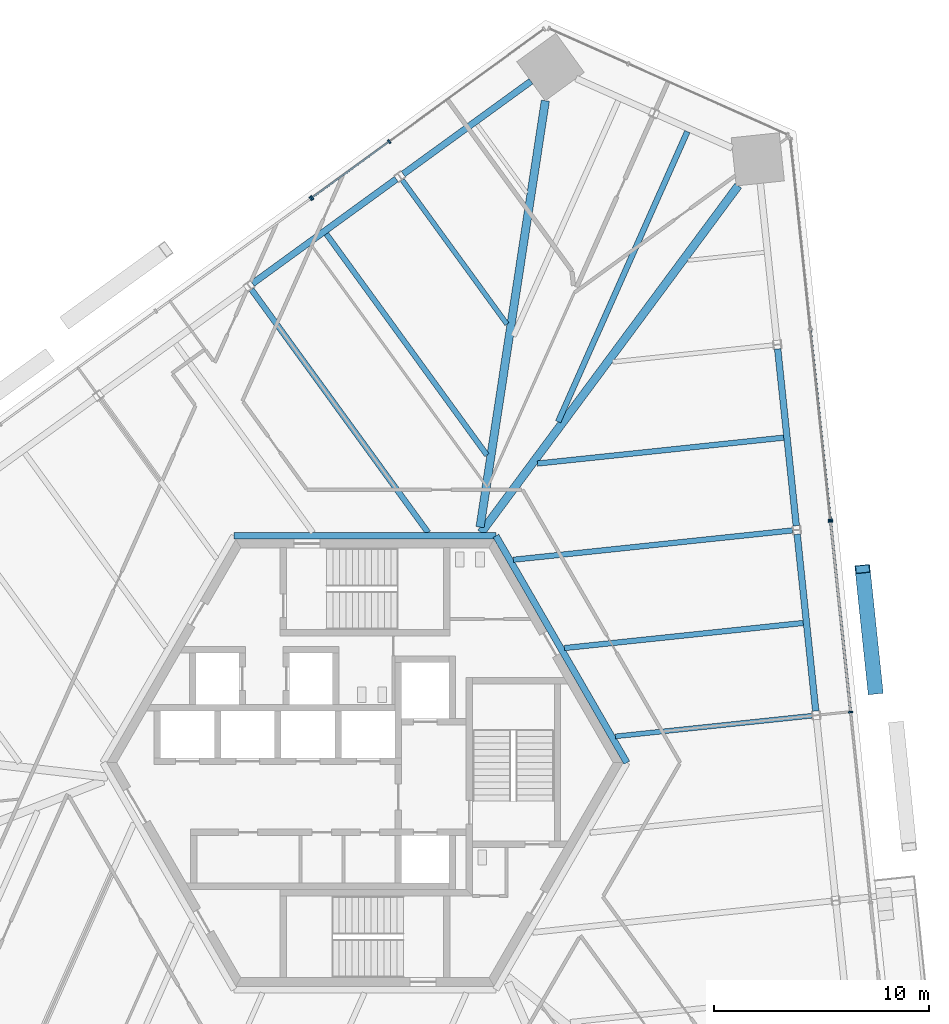
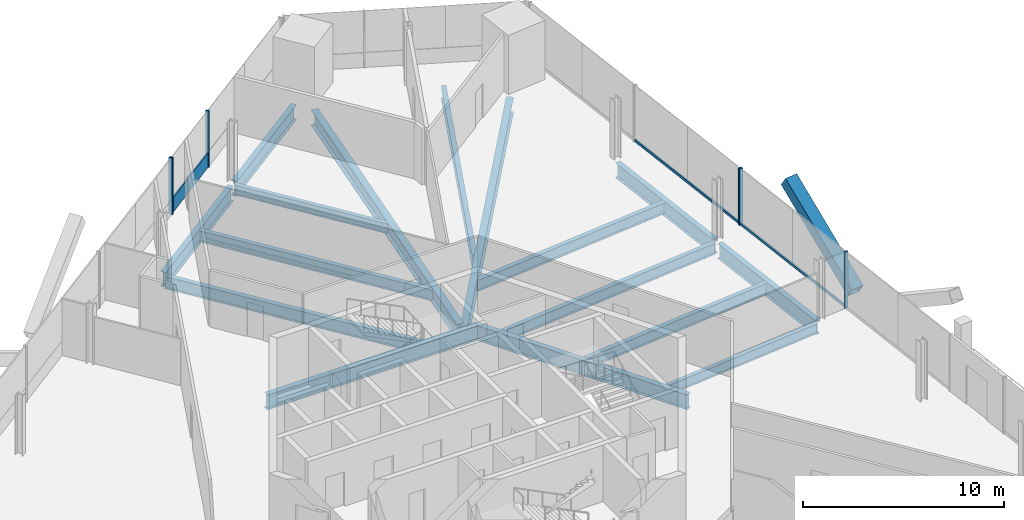
# One storey, part 8 of 19: 16 beams, 10 members, 4 elements without a shape of their own.
"""IFC4 building model written with IfcOpenShell, lengths in metres."""

from ifc_helpers import new_model, si_unit, direction, frame, origin, origin_2d, place, context, subcontext, project, spatial, rectangle, hollow_rectangle, i_section, extrude, source, transform, mapped, material, material_profile, profile_set, type_object, element, aggregate, save


model = new_model("IFC4")

# Units and contexts
model_context = context("Model", 3, precision=1e-05, world=origin(), true_north=direction((0.0, 1.0)))
body_context = subcontext(model_context, "Body", "Model", "MODEL_VIEW")
ifc_project = project(units=[si_unit("LENGTHUNIT", "METRE"), si_unit("AREAUNIT", "SQUARE_METRE"), si_unit("VOLUMEUNIT", "CUBIC_METRE"), si_unit("PLANEANGLEUNIT", "RADIAN"), si_unit("MASSUNIT", "GRAM", prefix="KILO")], contexts=[model_context])

# Site, building, storey
site_placement = place(None, origin())
site = spatial("IfcSite", under=ifc_project, at=site_placement, CompositionType="ELEMENT")
building_placement = place(site_placement, origin())
building = spatial("IfcBuilding", under=site, at=building_placement, Name="Triune Harvest Tower", CompositionType="ELEMENT")
storey_placement = place(building_placement, frame((0.0, 0.0, 76.5)))
storey = spatial("IfcBuildingStorey", under=building, at=storey_placement, Name="L18", CompositionType="ELEMENT", Elevation=76.5)

# Beams
ifc_material_1 = material(Name="Steel ASTM A992 Gr 50", Category="steel")
ifc_material_profile_1 = material_profile(ifc_material_1, i_section(OverallWidth=0.3046875, OverallDepth=0.914306640625, WebThickness=0.0166015625, FlangeThickness=0.02587890625, at=origin_2d()), Name="W36x160")
ifc_profile_set_1 = profile_set([ifc_material_profile_1], Name="Steel ASTM A992 Gr 50")
beam_type_1 = type_object("IfcBeamType", Name="CG-1 Core ring girder W36x160", PredefinedType="BEAM", material=ifc_profile_set_1)
shared_shape_1 = source(origin(), body_context, "Body", "SweptSolid", [
    extrude(i_section(OverallWidth=0.3046875, OverallDepth=0.914306640625, WebThickness=0.0166015625, FlangeThickness=0.02587890625, at=origin_2d()), origin(), (0.0, 0.0, 1.0), 12.176025390625),
])
beam_1_placement = place(storey_placement, frame((12.176025390625, 0.0, -0.6171875), z_axis=(-0.5000099932, 0.866019634131, 0.0), x_axis=(-0.866019634131, -0.5000099932, 0.0)))
element("IfcBeam", 1, at=beam_1_placement, inside=storey, type_object=beam_type_1, Name="beam/L18/CG1", PredefinedType="BEAM", context=body_context, shape_type="MappedRepresentation", body=[
    mapped(shared_shape_1, transform((0.0, 0.0, 0.0), scale=1.0)),
])
shared_shape_2 = source(origin(), body_context, "Body", "SweptSolid", [
    extrude(i_section(OverallWidth=0.3046875, OverallDepth=0.914306640625, WebThickness=0.0166015625, FlangeThickness=0.02587890625, at=origin_2d()), origin(), (0.0, 0.0, 1.0), 12.17578125),
])
beam_2_placement = place(storey_placement, frame((6.087890625, 10.544677734375, -0.6171875), z_axis=(-1.0, 0.0, 0.0), x_axis=(0.0, -1.0, 0.0)))
element("IfcBeam", 2, at=beam_2_placement, inside=storey, type_object=beam_type_1, Name="beam/L18/CG2", PredefinedType="BEAM", context=body_context, shape_type="MappedRepresentation", body=[
    mapped(shared_shape_2, transform((0.0, 0.0, 0.0), scale=1.0)),
])
ifc_material_2 = material(Name="Steel ASTM A992 Gr 50", Category="steel")
ifc_material_profile_2 = material_profile(ifc_material_2, i_section(OverallWidth=0.3046875, OverallDepth=0.914306640625, WebThickness=0.0166015625, FlangeThickness=0.02587890625, at=origin_2d()), Name="W36x160")
ifc_profile_set_2 = profile_set([ifc_material_profile_2], Name="Steel ASTM A992 Gr 50")
beam_type_2 = type_object("IfcBeamType", Name="SB-1 Spandrel beam W36x160", PredefinedType="SPANDREL", material=ifc_profile_set_2)
shared_shape_3 = source(origin(), body_context, "Body", "SweptSolid", [
    extrude(i_section(OverallWidth=0.3046875, OverallDepth=0.914306640625, WebThickness=0.0166015625, FlangeThickness=0.02587890625, at=origin_2d()), origin(), (0.0, 0.0, 1.0), 7.337890625),
])
beam_3_placement = place(storey_placement, frame((7.7158203125, 31.677490234375, -0.6171875), z_axis=(-0.80902661548, -0.58777200975, 0.0), x_axis=(0.58777200975, -0.80902661548, 0.0)))
element("IfcBeam", 3, at=beam_3_placement, inside=storey, type_object=beam_type_2, Name="beam/L18/SB9", PredefinedType="SPANDREL", context=body_context, shape_type="MappedRepresentation", body=[
    mapped(shared_shape_3, transform((0.0, 0.0, 0.0), scale=1.0)),
])
shared_shape_4 = source(origin(), body_context, "Body", "SweptSolid", [
    extrude(i_section(OverallWidth=0.3046875, OverallDepth=0.914306640625, WebThickness=0.0166015625, FlangeThickness=0.02587890625, at=origin_2d()), origin(), (0.0, 0.0, 1.0), 8.263427734375),
])
for number, where, z_axis, x_axis, name in (
    (4, (20.956298828125, 2.403076171875, -0.6171875), (-0.104560208485, 0.994518558299, 0.0), (-0.994518558299, -0.104560208485, 0.0), "beam/L18/SB4"),
    (5, (20.05078125, 11.017822265625, -0.6171875), (-0.104527914852, 0.994521953009, 0.0), (-0.994521953009, -0.104527914852, 0.0), "beam/L18/SB5"),
    (6, (1.45654296875, 27.130126953125, -0.6171875), (-0.809015786763, -0.587786914424, 0.0), (0.587786914424, -0.809015786763, 0.0), "beam/L18/SB10"),
):
    element("IfcBeam", number, at=place(storey_placement, frame(where, z_axis=z_axis, x_axis=x_axis)), inside=storey, type_object=beam_type_2, Name=name, PredefinedType="SPANDREL", context=body_context, shape_type="MappedRepresentation", body=[
        mapped(shared_shape_4, transform((0.0, 0.0, 0.0), scale=1.0)),
    ])
ifc_material_3 = material(Name="Steel ASTM A992 Gr 50", Category="steel")
ifc_material_profile_3 = material_profile(ifc_material_3, i_section(OverallWidth=0.383544921875, OverallDepth=0.9423828125, WebThickness=0.022216796875, FlangeThickness=0.039794921875, at=origin_2d()), Name="W36x232")
ifc_profile_set_3 = profile_set([ifc_material_profile_3], Name="Steel ASTM A992 Gr 50")
beam_type_3 = type_object("IfcBeamType", Name="HG-1 Hip girder W36x232", PredefinedType="BEAM", material=ifc_profile_set_3)
shared_shape_5 = source(origin(), body_context, "Body", "SweptSolid", [
    extrude(i_section(OverallWidth=0.383544921875, OverallDepth=0.9423828125, WebThickness=0.022216796875, FlangeThickness=0.039794921875, at=origin_2d()), origin(), (0.0, 0.0, 1.0), 20.071044921875),
])
beam_4_placement = place(storey_placement, frame((17.3515625, 26.822265625, -0.631103515625), z_axis=(-0.595422435489, -0.803412797581, 0.0), x_axis=(0.803412797581, -0.595422435489, 0.0)))
element("IfcBeam", 7, at=beam_4_placement, inside=storey, type_object=beam_type_3, Name="beam/L18/HG3", PredefinedType="BEAM", context=body_context, shape_type="MappedRepresentation", body=[
    mapped(shared_shape_5, transform((0.0, 0.0, 0.0), scale=1.0)),
])
shared_shape_6 = source(origin(), body_context, "Body", "SweptSolid", [
    extrude(i_section(OverallWidth=0.383544921875, OverallDepth=0.9423828125, WebThickness=0.022216796875, FlangeThickness=0.039794921875, at=origin_2d()), origin(), (0.0, 0.0, 1.0), 20.0546875),
])
beam_5_placement = place(storey_placement, frame((8.38623046875, 30.774169921875, -0.631103515625), z_axis=(-0.151393010927, -0.988473649746, 0.0), x_axis=(0.988473649746, -0.151393010927, 0.0)))
element("IfcBeam", 8, at=beam_5_placement, inside=storey, type_object=beam_type_3, Name="beam/L18/HG4", PredefinedType="BEAM", context=body_context, shape_type="MappedRepresentation", body=[
    mapped(shared_shape_6, transform((0.0, 0.0, 0.0), scale=1.0)),
])
ifc_material_4 = material(Name="Steel ASTM A992 Gr 50", Category="steel")
ifc_material_profile_4 = material_profile(ifc_material_4, i_section(OverallWidth=0.22900390625, OverallDepth=0.612060546875, WebThickness=0.011962890625, FlangeThickness=0.01953125, at=origin_2d()), Name="W24x84")
ifc_profile_set_4 = profile_set([ifc_material_profile_4], Name="Steel ASTM A992 Gr 50")
beam_type_4 = type_object("IfcBeamType", Name="JT-3 Floor joist W24x84", PredefinedType="JOIST", material=ifc_profile_set_4)
shared_shape_7 = source(origin(), body_context, "Body", "SweptSolid", [
    extrude(i_section(OverallWidth=0.22900390625, OverallDepth=0.612060546875, WebThickness=0.011962890625, FlangeThickness=0.01953125, at=origin_2d()), origin(), (0.0, 0.0, 1.0), 8.28173828125),
])
beam_6_placement = place(storey_placement, frame((1.733642578125, 27.087890625, -0.466064453125), z_axis=(0.587794772324, -0.809010077581, 0.0), x_axis=(0.809010077581, 0.587794772324, 0.0)))
element("IfcBeam", 9, at=beam_6_placement, inside=storey, type_object=beam_type_4, Name="beam/L18/JT15", PredefinedType="JOIST", context=body_context, shape_type="MappedRepresentation", body=[
    mapped(shared_shape_7, transform((0.0, 0.0, 0.0), scale=1.0)),
])
shared_shape_8 = source(origin(), body_context, "Body", "SweptSolid", [
    extrude(i_section(OverallWidth=0.22900390625, OverallDepth=0.612060546875, WebThickness=0.011962890625, FlangeThickness=0.01953125, at=origin_2d()), origin(), (0.0, 0.0, 1.0), 9.186279296875),
])
beam_7_placement = place(storey_placement, frame((20.78125, 2.18408203125, -0.466064453125), z_axis=(-0.99452494946, -0.10449940144, 0.0), x_axis=(0.10449940144, -0.99452494946, 0.0)))
element("IfcBeam", 10, at=beam_7_placement, inside=storey, type_object=beam_type_4, Name="beam/L18/JT6", PredefinedType="JOIST", context=body_context, shape_type="MappedRepresentation", body=[
    mapped(shared_shape_8, transform((0.0, 0.0, 0.0), scale=1.0)),
])
ifc_material_5 = material(Name="Steel ASTM A992 Gr 50", Category="steel")
ifc_material_profile_5 = material_profile(ifc_material_5, i_section(OverallWidth=0.253662109375, OverallDepth=0.683349609375, WebThickness=0.012451171875, FlangeThickness=0.01904296875, at=origin_2d()), Name="W27x94")
ifc_profile_set_5 = profile_set([ifc_material_profile_5], Name="Steel ASTM A992 Gr 50")
beam_type_5 = type_object("IfcBeamType", Name="JT-4 Floor joist W27x94", PredefinedType="JOIST", material=ifc_profile_set_5)
shared_shape_9 = source(origin(), body_context, "Body", "SweptSolid", [
    extrude(i_section(OverallWidth=0.253662109375, OverallDepth=0.683349609375, WebThickness=0.012451171875, FlangeThickness=0.01904296875, at=origin_2d()), origin(), (0.0, 0.0, 1.0), 11.158935546875),
])
beam_8_placement = place(storey_placement, frame((20.372802734375, 6.49609375, -0.501708984375), z_axis=(-0.994523540129, -0.104512813234, 0.0), x_axis=(0.104512813234, -0.994523540129, 0.0)))
element("IfcBeam", 11, at=beam_8_placement, inside=storey, type_object=beam_type_5, Name="beam/L18/JT7", PredefinedType="JOIST", context=body_context, shape_type="MappedRepresentation", body=[
    mapped(shared_shape_9, transform((0.0, 0.0, 0.0), scale=1.0)),
])
shared_shape_10 = source(origin(), body_context, "Body", "SweptSolid", [
    extrude(i_section(OverallWidth=0.253662109375, OverallDepth=0.683349609375, WebThickness=0.012451171875, FlangeThickness=0.01904296875, at=origin_2d()), origin(), (0.0, 0.0, 1.0), 13.04296875),
])
beam_9_placement = place(storey_placement, frame((19.875732421875, 10.799072265625, -0.501708984375), z_axis=(-0.99452051979, -0.104541550188, 0.0), x_axis=(0.104541550188, -0.99452051979, 0.0)))
element("IfcBeam", 12, at=beam_9_placement, inside=storey, type_object=beam_type_5, Name="beam/L18/JT8", PredefinedType="JOIST", context=body_context, shape_type="MappedRepresentation", body=[
    mapped(shared_shape_10, transform((0.0, 0.0, 0.0), scale=1.0)),
])
shared_shape_11 = source(origin(), body_context, "Body", "SweptSolid", [
    extrude(i_section(OverallWidth=0.253662109375, OverallDepth=0.683349609375, WebThickness=0.012451171875, FlangeThickness=0.01904296875, at=origin_2d()), origin(), (0.0, 0.0, 1.0), 11.51123046875),
])
beam_10_placement = place(storey_placement, frame((19.46728515625, 15.111083984375, -0.501708984375), z_axis=(-0.994520898324, -0.104537949071, 0.0), x_axis=(0.104537949071, -0.994520898324, 0.0)))
element("IfcBeam", 13, at=beam_10_placement, inside=storey, type_object=beam_type_5, Name="beam/L18/JT9", PredefinedType="JOIST", context=body_context, shape_type="MappedRepresentation", body=[
    mapped(shared_shape_11, transform((0.0, 0.0, 0.0), scale=1.0)),
])
ifc_material_6 = material(Name="Steel ASTM A992 Gr 50", Category="steel")
ifc_material_profile_6 = material_profile(ifc_material_6, i_section(OverallWidth=0.2666015625, OverallDepth=0.7568359375, WebThickness=0.013916015625, FlangeThickness=0.019287109375, at=origin_2d()), Name="W30x108")
ifc_profile_set_6 = profile_set([ifc_material_profile_6], Name="Steel ASTM A992 Gr 50")
beam_type_6 = type_object("IfcBeamType", Name="JT-5 Floor joist W30x108", PredefinedType="JOIST", material=ifc_profile_set_6)
shared_shape_12 = source(origin(), body_context, "Body", "SweptSolid", [
    extrude(i_section(OverallWidth=0.2666015625, OverallDepth=0.7568359375, WebThickness=0.013916015625, FlangeThickness=0.019287109375, at=origin_2d()), origin(), (0.0, 0.0, 1.0), 14.766357421875),
])
beam_11_placement = place(storey_placement, frame((14.987060546875, 29.33984375, -0.53857421875), z_axis=(-0.406727456384, -0.913549547766, 0.0), x_axis=(0.913549547766, -0.406727456384, 0.0)))
element("IfcBeam", 14, at=beam_11_placement, inside=storey, type_object=beam_type_6, Name="beam/L18/JT12", PredefinedType="JOIST", context=body_context, shape_type="MappedRepresentation", body=[
    mapped(shared_shape_12, transform((0.0, 0.0, 0.0), scale=1.0)),
])
shared_shape_13 = source(origin(), body_context, "Body", "SweptSolid", [
    extrude(i_section(OverallWidth=0.253662109375, OverallDepth=0.683349609375, WebThickness=0.012451171875, FlangeThickness=0.01904296875, at=origin_2d()), origin(), (0.0, 0.0, 1.0), 12.701904296875),
])
beam_12_placement = place(storey_placement, frame((-1.79638671875, 24.578369140625, -0.501708984375), z_axis=(0.587773910587, -0.809025234485, 0.0), x_axis=(0.809025234485, 0.587773910587, 0.0)))
element("IfcBeam", 15, at=beam_12_placement, inside=storey, type_object=beam_type_5, Name="beam/L18/JT16", PredefinedType="JOIST", context=body_context, shape_type="MappedRepresentation", body=[
    mapped(shared_shape_13, transform((0.0, 0.0, 0.0), scale=1.0)),
])
shared_shape_14 = source(origin(), body_context, "Body", "SweptSolid", [
    extrude(i_section(OverallWidth=0.2666015625, OverallDepth=0.7568359375, WebThickness=0.013916015625, FlangeThickness=0.019287109375, at=origin_2d()), origin(), (0.0, 0.0, 1.0), 13.967041015625),
])
beam_13_placement = place(storey_placement, frame((-5.2744140625, 21.99658203125, -0.53857421875), z_axis=(0.587790196646, -0.809013402069, 0.0), x_axis=(0.809013402069, 0.587790196646, 0.0)))
element("IfcBeam", 16, at=beam_13_placement, inside=storey, type_object=beam_type_6, Name="beam/L18/JT17", PredefinedType="JOIST", context=body_context, shape_type="MappedRepresentation", body=[
    mapped(shared_shape_14, transform((0.0, 0.0, 0.0), scale=1.0)),
])

# Member
ifc_material_7 = material(Name="Steel ASTM A572 Gr 50", Category="steel")
ifc_material_profile_7 = material_profile(ifc_material_7, hollow_rectangle(XDim=0.699951171875, YDim=0.699951171875, WallThickness=0.0400390625, at=origin_2d()), Name="Box 700x700x40")
ifc_profile_set_7 = profile_set([ifc_material_profile_7], Name="Steel ASTM A572 Gr 50")
member_type_1 = type_object("IfcMemberType", Name="BR-1 Brace Box 700x700x40", PredefinedType="BRACE", material=ifc_profile_set_7)
shared_shape_15 = source(origin(), body_context, "Body", "SweptSolid", [
    extrude(hollow_rectangle(XDim=0.699951171875, YDim=0.699951171875, WallThickness=0.0400390625, at=origin_2d()), origin(), (0.0, 0.0, 1.0), 6.7021484375),
])
member_1_placement = place(storey_placement, frame((23.724365234375, 3.380859375, 0.0), z_axis=(-0.088152496894, 0.838869359908, 0.537147404629), x_axis=(-0.994523894921, -0.104509437045, 0.0)))
element("IfcMember", 17, at=member_1_placement, inside=storey, type_object=member_type_1, Name="brace/B2-F1/d1/6", PredefinedType="BRACE", context=body_context, shape_type="MappedRepresentation", body=[
    mapped(shared_shape_15, transform((0.0, 0.0, 0.0), scale=1.0)),
])

# Curtain wall, members
ifc_material_8 = material(Name="Aluminium bronze anodised", Category="aluminium")
curtain_wall_type_1 = type_object("IfcCurtainWallType", Name="CW-1 Tower stick curtain wall", PredefinedType="NOTDEFINED", material=ifc_material_8)
curtain_wall_1_placement = place(storey_placement, origin())
curtain_wall_1 = element("IfcCurtainWall", 18, at=curtain_wall_1_placement, inside=storey, type_object=curtain_wall_type_1, Name="CW-1 B2-F3 L18 run 1")
ifc_material_9 = material(Name="Aluminium bronze anodised", Category="aluminium")
ifc_material_profile_8 = material_profile(ifc_material_9, rectangle(XDim=0.199951171875, YDim=0.074951171875, at=origin_2d()), Name="MU-1 mullion 75 x 200")
ifc_profile_set_8 = profile_set([ifc_material_profile_8], Name="Aluminium bronze anodised")
member_type_2 = type_object("IfcMemberType", Name="MU-1 mullion 75 x 200", PredefinedType="MULLION", material=ifc_profile_set_8)
shared_shape_16 = source(origin(), body_context, "Body", "SweptSolid", [
    extrude(rectangle(XDim=0.199951171875, YDim=0.074951171875, at=origin_2d()), origin(), (0.0, 0.0, 1.0), 3.43994140625),
])
member_2_placement = place(storey_placement, frame((1.125732421875, 28.873779296875, 0.0), z_axis=(0.0, 0.0, 1.0), x_axis=(0.587785414122, -0.809016876799, 0.0)))
member_2 = element("IfcMember", 19, at=member_2_placement, type_object=member_type_2, Name="CW-1 mullion B2-F3 1.3", PredefinedType="MULLION", context=body_context, shape_type="MappedRepresentation", body=[
    mapped(shared_shape_16, transform((0.0, 0.0, 0.0), scale=1.0)),
])
member_3_placement = place(storey_placement, frame((-2.460693359375, 26.26806640625, 0.0), z_axis=(0.0, 0.0, 1.0), x_axis=(0.587785414122, -0.809016876799, 0.0)))
member_3 = element("IfcMember", 20, at=member_3_placement, type_object=member_type_2, Name="CW-1 mullion B2-F3 1.4", PredefinedType="MULLION", context=body_context, shape_type="MappedRepresentation", body=[
    mapped(shared_shape_16, transform((0.0, 0.0, 0.0), scale=1.0)),
])

# Curtain wall, member
ifc_material_10 = material(Name="Aluminium bronze anodised", Category="aluminium")
curtain_wall_type_2 = type_object("IfcCurtainWallType", Name="CW-7 Tower stick curtain wall with insulated spandrel infill", PredefinedType="NOTDEFINED", material=ifc_material_10)
curtain_wall_2_placement = place(storey_placement, origin())
curtain_wall_2 = element("IfcCurtainWall", 21, at=curtain_wall_2_placement, inside=storey, type_object=curtain_wall_type_2, Name="CW-7 B2-F3 L18 run 1001")
member_4_placement = place(storey_placement, frame((-2.521484375, 26.22412109375, 0.0), z_axis=(0.0, 0.0, 1.0), x_axis=(0.587786723131, -0.809015925746, 0.0)))
member_4 = element("IfcMember", 22, at=member_4_placement, type_object=member_type_2, Name="CW-7 mullion B2-F3 1001.1", PredefinedType="MULLION", context=body_context, shape_type="MappedRepresentation", body=[
    mapped(shared_shape_16, transform((0.0, 0.0, 0.0), scale=1.0)),
])
aggregate(curtain_wall_2, [member_4])

# Curtain wall, members
ifc_material_11 = material(Name="Aluminium bronze anodised", Category="aluminium")
curtain_wall_type_3 = type_object("IfcCurtainWallType", Name="CW-10 Balcony window wall with insulated spandrel infill", PredefinedType="NOTDEFINED", material=ifc_material_11)
curtain_wall_3_placement = place(storey_placement, origin())
curtain_wall_3 = element("IfcCurtainWall", 23, at=curtain_wall_3_placement, inside=storey, type_object=curtain_wall_type_3, Name="CW-10 B2-F1 L18 run 2")
ifc_material_12 = material(Name="Aluminium bronze anodised", Category="aluminium")
ifc_material_profile_9 = material_profile(ifc_material_12, rectangle(XDim=0.199951171875, YDim=0.074951171875, at=origin_2d()), Name="MU-6 mullion 75 x 200")
ifc_profile_set_9 = profile_set([ifc_material_profile_9], Name="Aluminium bronze anodised")
member_type_3 = type_object("IfcMemberType", Name="MU-6 mullion 75 x 200", PredefinedType="MULLION", material=ifc_profile_set_9)
shared_shape_17 = source(origin(), body_context, "Body", "SweptSolid", [
    extrude(rectangle(XDim=0.199951171875, YDim=0.074951171875, at=origin_2d()), origin(), (0.0, 0.0, 1.0), 3.43994140625),
])
member_5_placement = place(storey_placement, frame((22.57568359375, 2.35009765625, 0.0), z_axis=(0.0, 0.0, 1.0), x_axis=(-0.994522156618, -0.104525977613, 0.0)))
member_5 = element("IfcMember", 24, at=member_5_placement, type_object=member_type_3, Name="CW-10 mullion B2-F1 2.3", PredefinedType="MULLION", context=body_context, shape_type="MappedRepresentation", body=[
    mapped(shared_shape_17, transform((0.0, 0.0, 0.0), scale=1.0)),
])
member_6_placement = place(storey_placement, frame((21.644287109375, 11.21240234375, 0.0), z_axis=(0.0, 0.0, 1.0), x_axis=(-0.994522156618, -0.104525977613, 0.0)))
member_6 = element("IfcMember", 25, at=member_6_placement, type_object=member_type_3, Name="CW-10 mullion B2-F1 2.5", PredefinedType="MULLION", context=body_context, shape_type="MappedRepresentation", body=[
    mapped(shared_shape_17, transform((0.0, 0.0, 0.0), scale=1.0)),
])

# Curtain wall, member
ifc_material_13 = material(Name="Aluminium bronze anodised", Category="aluminium")
curtain_wall_type_4 = type_object("IfcCurtainWallType", Name="CW-6 Balcony window wall", PredefinedType="NOTDEFINED", material=ifc_material_13)
curtain_wall_4_placement = place(storey_placement, origin())
curtain_wall_4 = element("IfcCurtainWall", 26, at=curtain_wall_4_placement, inside=storey, type_object=curtain_wall_type_4, Name="CW-6 B2-F1 L18 run 1002")
member_7_placement = place(storey_placement, frame((21.636474609375, 11.287109375, 0.0), z_axis=(0.0, 0.0, 1.0), x_axis=(-0.994521828916, -0.104529095521, 0.0)))
member_7 = element("IfcMember", 27, at=member_7_placement, type_object=member_type_3, Name="CW-6 mullion B2-F1 1002.1", PredefinedType="MULLION", context=body_context, shape_type="MappedRepresentation", body=[
    mapped(shared_shape_17, transform((0.0, 0.0, 0.0), scale=1.0)),
])

# Member
ifc_material_14 = material(Name="Aluminium bronze anodised", Category="aluminium")
ifc_material_profile_10 = material_profile(ifc_material_14, rectangle(XDim=0.090087890625, YDim=0.14990234375, at=origin_2d()), Name="TR-6 transom 90 x 150")
ifc_profile_set_10 = profile_set([ifc_material_profile_10], Name="Aluminium bronze anodised")
member_type_4 = type_object("IfcMemberType", Name="TR-6 transom 90 x 150", PredefinedType="USERDEFINED", material=ifc_profile_set_10)
shared_shape_18 = source(origin(), body_context, "Body", "SweptSolid", [
    extrude(rectangle(XDim=0.090087890625, YDim=0.14990234375, at=origin_2d()), origin(), (0.0, 0.0, 1.0), 8.836181640625),
])
member_8_placement = place(storey_placement, frame((22.57177734375, 2.387451171875, 0.074951171875), z_axis=(-0.104522261316, 0.9945225472, 0.0), x_axis=(-0.9945225472, -0.104522261316, 0.0)))
member_8 = element("IfcMember", 28, at=member_8_placement, type_object=member_type_4, Name="CW-10 transom B2-F1 2.2", ObjectType="TRANSOM", PredefinedType="USERDEFINED", context=body_context, shape_type="MappedRepresentation", body=[
    mapped(shared_shape_18, transform((0.0, 0.0, 0.0), scale=1.0)),
])

aggregate(curtain_wall_3, [member_5, member_6, member_8])

shared_shape_19 = source(origin(), body_context, "Body", "SweptSolid", [
    extrude(rectangle(XDim=0.090087890625, YDim=0.14990234375, at=origin_2d()), origin(), (0.0, 0.0, 1.0), 8.8359375),
])
member_9_placement = place(storey_placement, frame((21.632568359375, 11.324462890625, 0.074951171875), z_axis=(-0.10452513347, 0.994522245338, 0.0), x_axis=(-0.994522245338, -0.10452513347, 0.0)))
member_9 = element("IfcMember", 29, at=member_9_placement, type_object=member_type_4, Name="CW-6 transom B2-F1 1002.1", ObjectType="TRANSOM", PredefinedType="USERDEFINED", context=body_context, shape_type="MappedRepresentation", body=[
    mapped(shared_shape_19, transform((0.0, 0.0, 0.0), scale=1.0)),
])

aggregate(curtain_wall_4, [member_7, member_9])

ifc_material_15 = material(Name="Aluminium bronze anodised", Category="aluminium")
ifc_material_profile_11 = material_profile(ifc_material_15, rectangle(XDim=0.090087890625, YDim=0.89990234375, at=origin_2d()), Name="TR-1 transom 90 x 900")
ifc_profile_set_11 = profile_set([ifc_material_profile_11], Name="Aluminium bronze anodised")
member_type_5 = type_object("IfcMemberType", Name="TR-1 transom 90 x 900", PredefinedType="USERDEFINED", material=ifc_profile_set_11)
shared_shape_20 = source(origin(), body_context, "Body", "SweptSolid", [
    extrude(rectangle(XDim=0.090087890625, YDim=0.89990234375, at=origin_2d()), origin(), (0.0, 0.0, 1.0), 4.35791015625),
])
member_10_placement = place(storey_placement, frame((1.09521484375, 28.851806640625, 0.449951171875), z_axis=(-0.809017011609, -0.587785228572, 0.0), x_axis=(0.587785228572, -0.809017011609, 0.0)))
member_10 = element("IfcMember", 30, at=member_10_placement, type_object=member_type_5, Name="CW-1 transom B2-F3 1.2", ObjectType="TRANSOM", PredefinedType="USERDEFINED", context=body_context, shape_type="MappedRepresentation", body=[
    mapped(shared_shape_20, transform((0.0, 0.0, 0.0), scale=1.0)),
])

aggregate(curtain_wall_1, [member_2, member_3, member_10])

save(model, "model.ifc")
